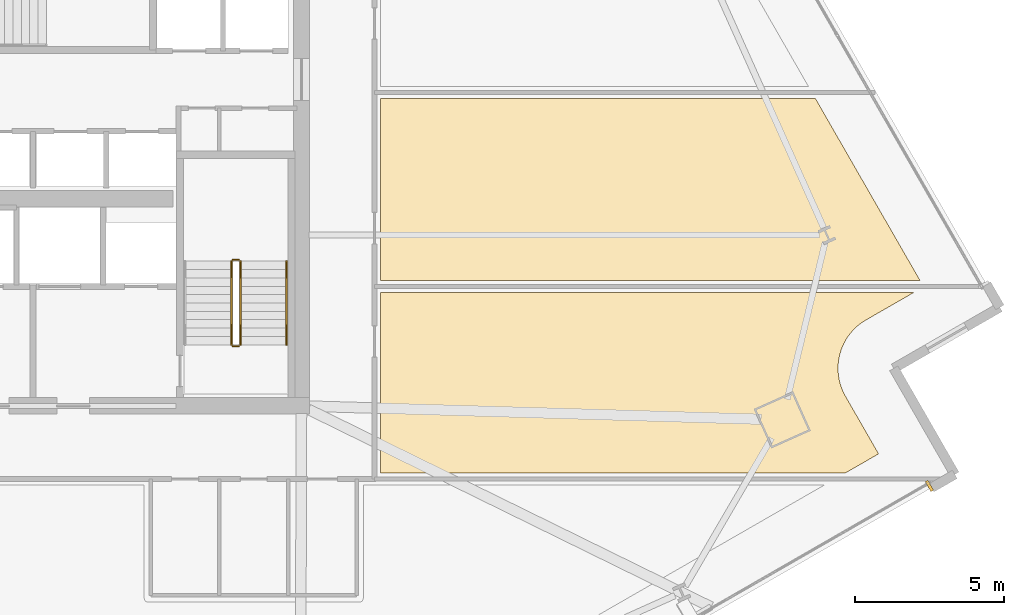
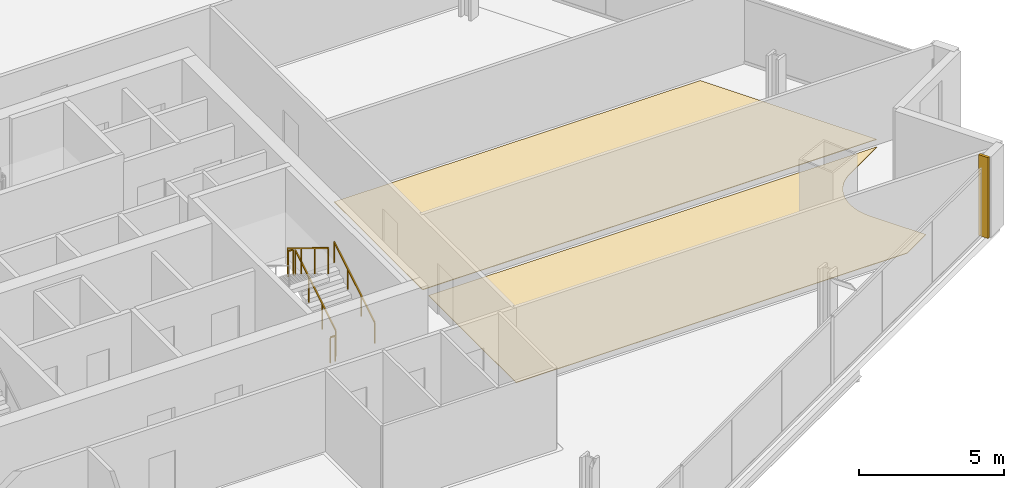
# One storey, part 30 of 33: 5 railings, 3 coverings.
"""IFC4 building model written with IfcOpenShell, lengths in metres."""

from ifc_helpers import new_model, si_unit, direction, frame, origin, origin_2d, place, context, subcontext, project, spatial, polyline, rectangle, outline, extrude, source, transform, mapped, material, layer, layer_set, type_object, element, save


model = new_model("IFC4")

# Units and contexts
model_context = context("Model", 3, precision=1e-05, world=origin(), true_north=direction((0.0, 1.0)))
body_context = subcontext(model_context, "Body", "Model", "MODEL_VIEW")
ifc_project = project(units=[si_unit("LENGTHUNIT", "METRE"), si_unit("AREAUNIT", "SQUARE_METRE"), si_unit("VOLUMEUNIT", "CUBIC_METRE"), si_unit("PLANEANGLEUNIT", "RADIAN"), si_unit("MASSUNIT", "GRAM", prefix="KILO")], contexts=[model_context])

# Site, building, storey
site_placement = place(None, origin())
site = spatial("IfcSite", under=ifc_project, at=site_placement, CompositionType="ELEMENT")
building_placement = place(site_placement, origin())
building = spatial("IfcBuilding", under=site, at=building_placement, Name="Haldenkirk Collegiate Tower", CompositionType="ELEMENT")
storey_placement = place(building_placement, frame((0.0, 0.0, 127.949951171875)))
storey = spatial("IfcBuildingStorey", under=building, at=storey_placement, Name="L31", CompositionType="ELEMENT", Elevation=127.949951171875)

# Coverings
ifc_material_1 = material(Name="Polished collegiate terrazzo", Category="concrete")
ifc_layer_1 = layer(ifc_material_1, 0.02490234375)
ifc_layer_set_1 = layer_set([ifc_layer_1], Name="Polished collegiate terrazzo")
covering_type_1 = type_object("IfcCoveringType", Name="COV-FLOOR-TERRAZZO", PredefinedType="FLOORING", material=ifc_layer_set_1)
covering_1_placement = place(storey_placement, origin())
element("IfcCovering", 1, at=covering_1_placement, inside=storey, type_object=covering_type_1, Name="L31 academic room finish 10", PredefinedType="FLOORING", context=body_context, shape_type="SweptSolid", body=[
    extrude(outline(polyline([(65.731689453125, 22.199951171875), (47.64990234375, 22.199951171875), (47.64990234375, 28.300048828125), (62.22412109375, 28.300048828125), (65.731689453125, 22.199951171875)])), origin(), (0.0, 0.0, 1.0), 0.025146484375),
])
ifc_material_2 = material(Name="Engineered collegiate oak acoustic flooring", Category="wood")
ifc_layer_2 = layer(ifc_material_2, 0.02197265625)
ifc_layer_set_2 = layer_set([ifc_layer_2], Name="Engineered collegiate oak acoustic flooring")
covering_type_2 = type_object("IfcCoveringType", Name="COV-FLOOR-TIMBER", PredefinedType="FLOORING", material=ifc_layer_set_2)
covering_2_placement = place(storey_placement, origin())
element("IfcCovering", 2, at=covering_2_placement, inside=storey, type_object=covering_type_2, Name="L31 academic room finish 09", PredefinedType="FLOORING", context=body_context, shape_type="SweptSolid", body=[
    extrude(outline(polyline([(63.918212890625, 20.88037109375), (63.9130859375, 20.87744140625), (63.7685546875, 20.78466796875), (63.759033203125, 20.777587890625), (63.624267578125, 20.671142578125), (63.615234375, 20.663330078125), (63.49169921875, 20.544189453125), (63.483642578125, 20.53564453125), (63.372314453125, 20.40478515625), (63.364990234375, 20.3955078125), (63.26708984375, 20.25439453125), (63.260986328125, 20.244384765625), (63.17724609375, 20.094482421875), (63.172119140625, 20.083984375), (63.103515625, 19.926513671875), (63.09912109375, 19.91552734375), (63.04638671875, 19.752197265625), (63.043212890625, 19.74072265625), (63.0068359375, 19.572998046875), (63.0048828125, 19.561279296875), (62.98486328125, 19.390869140625), (62.984130859375, 19.37890625), (62.98095703125, 19.207275390625), (62.9814453125, 19.195556640625), (62.9951171875, 19.0244140625), (62.99658203125, 19.0126953125), (63.027099609375, 18.84375), (63.02978515625, 18.83203125), (63.07666015625, 18.6669921875), (63.080322265625, 18.65576171875), (63.143310546875, 18.49609375), (63.148193359375, 18.4853515625), (63.226318359375, 18.33251953125), (63.22900390625, 18.3271484375), (64.3408203125, 16.393798828125), (63.220947265625, 15.75), (47.64990234375, 15.75), (47.64990234375, 21.800048828125), (65.517333984375, 21.800048828125), (63.918212890625, 20.88037109375)])), origin(), (0.0, 0.0, 1.0), 0.02197265625),
])

# Railings
ifc_material_3 = material(Name="Painted architectural tubular steel", Category="steel")
railing_type_1 = type_object("IfcRailingType", Name="RLG-STAIR-GUARD-1100", PredefinedType="BALUSTRADE", material=ifc_material_3)
railing_1_placement = place(storey_placement, frame((42.949951171875, 20.050048828125, 0.17041015625)))
element("IfcRailing", 3, at=railing_1_placement, inside=storey, type_object=railing_type_1, Name="L31 ST-2 stair guard 1", PredefinedType="BALUSTRADE", context=body_context, shape_type="SweptSolid", body=[
    extrude(rectangle(XDim=0.048095703125, YDim=0.048095703125, at=origin_2d()), frame((0.0, 0.0, 1.076171875), z_axis=(0.0, 0.854169791009, 0.51999420009), x_axis=(-1.0, 0.0, 0.0)), (0.0, 0.0, 1.0), 3.278076171875),
    extrude(rectangle(XDim=0.0419921875, YDim=0.0419921875, at=origin_2d()), origin(), (0.0, 0.0, 1.0), 1.052001953125),
    extrude(rectangle(XDim=0.0419921875, YDim=0.0419921875, at=origin_2d()), frame((0.0, 0.933349609375, 0.568115234375)), (0.0, 0.0, 1.0), 1.052001953125),
    extrude(rectangle(XDim=0.0419921875, YDim=0.0419921875, at=origin_2d()), frame((0.0, 1.86669921875, 1.136474609375)), (0.0, 0.0, 1.0), 1.052001953125),
    extrude(rectangle(XDim=0.0419921875, YDim=0.0419921875, at=origin_2d()), frame((0.0, 2.800048828125, 1.70458984375)), (0.0, 0.0, 1.0), 1.052001953125),
])
railing_2_placement = place(storey_placement, frame((42.89990234375, 22.89990234375, 1.875)))
element("IfcRailing", 4, at=railing_2_placement, inside=storey, type_object=railing_type_1, Name="L31 ST-2 stair guard 2", PredefinedType="BALUSTRADE", context=body_context, shape_type="SweptSolid", body=[
    extrude(rectangle(XDim=0.048095703125, YDim=0.048095703125, at=origin_2d()), frame((0.0, 0.0, 1.076171875), z_axis=(-1.0, 0.0, 0.0), x_axis=(0.0, -1.0, 0.0)), (0.0, 0.0, 1.0), 0.199951171875),
    extrude(rectangle(XDim=0.0419921875, YDim=0.0419921875, at=origin_2d()), origin(), (0.0, 0.0, 1.0), 1.052001953125),
    extrude(rectangle(XDim=0.0419921875, YDim=0.0419921875, at=origin_2d()), frame((-0.199951171875, 0.0, 0.0)), (0.0, 0.0, 1.0), 1.052001953125),
])
railing_3_placement = place(storey_placement, frame((42.64990234375, 22.85009765625, 2.04541015625)))
element("IfcRailing", 5, at=railing_3_placement, inside=storey, type_object=railing_type_1, Name="L31 ST-2 stair guard 3", PredefinedType="BALUSTRADE", context=body_context, shape_type="SweptSolid", body=[
    extrude(rectangle(XDim=0.048095703125, YDim=0.048095703125, at=origin_2d()), frame((0.0, 0.0, 1.076171875), z_axis=(0.0, -0.854169791009, 0.51999420009), x_axis=(1.0, 0.0, 0.0)), (0.0, 0.0, 1.0), 3.278076171875),
    extrude(rectangle(XDim=0.0419921875, YDim=0.0419921875, at=origin_2d()), origin(), (0.0, 0.0, 1.0), 1.052001953125),
    extrude(rectangle(XDim=0.0419921875, YDim=0.0419921875, at=origin_2d()), frame((0.0, -0.933349609375, 0.568115234375)), (0.0, 0.0, 1.0), 1.052001953125),
    extrude(rectangle(XDim=0.0419921875, YDim=0.0419921875, at=origin_2d()), frame((0.0, -1.86669921875, 1.136474609375)), (0.0, 0.0, 1.0), 1.052001953125),
    extrude(rectangle(XDim=0.0419921875, YDim=0.0419921875, at=origin_2d()), frame((0.0, -2.800048828125, 1.70458984375)), (0.0, 0.0, 1.0), 1.052001953125),
])
railing_4_placement = place(storey_placement, frame((42.89990234375, 20.0, 0.0)))
element("IfcRailing", 6, at=railing_4_placement, inside=storey, type_object=railing_type_1, Name="L31 ST-2 stair guard 4", PredefinedType="BALUSTRADE", context=body_context, shape_type="SweptSolid", body=[
    extrude(rectangle(XDim=0.048095703125, YDim=0.048095703125, at=origin_2d()), frame((0.0, 0.0, 1.076171875), z_axis=(-1.0, 0.0, 0.0), x_axis=(0.0, -1.0, 0.0)), (0.0, 0.0, 1.0), 0.199951171875),
    extrude(rectangle(XDim=0.0419921875, YDim=0.0419921875, at=origin_2d()), origin(), (0.0, 0.0, 1.0), 1.052001953125),
    extrude(rectangle(XDim=0.0419921875, YDim=0.0419921875, at=origin_2d()), frame((-0.199951171875, 0.0, 0.0)), (0.0, 0.0, 1.0), 1.052001953125),
])
railing_type_2 = type_object("IfcRailingType", Name="RLG-STAIR-HANDRAIL-900", PredefinedType="HANDRAIL", material=ifc_material_3)
railing_5_placement = place(storey_placement, frame((44.5, 20.050048828125, 0.17041015625)))
element("IfcRailing", 7, at=railing_5_placement, inside=storey, type_object=railing_type_2, Name="L31 ST-2 stair handrail 1", PredefinedType="HANDRAIL", context=body_context, shape_type="SweptSolid", body=[
    extrude(rectangle(XDim=0.048095703125, YDim=0.048095703125, at=origin_2d()), frame((0.0, 0.0, 0.8759765625), z_axis=(0.0, 0.854169791009, 0.51999420009), x_axis=(-1.0, 0.0, 0.0)), (0.0, 0.0, 1.0), 3.278076171875),
    extrude(rectangle(XDim=0.0419921875, YDim=0.0419921875, at=origin_2d()), origin(), (0.0, 0.0, 1.0), 0.851806640625),
    extrude(rectangle(XDim=0.0419921875, YDim=0.0419921875, at=origin_2d()), frame((0.0, 0.933349609375, 0.568115234375)), (0.0, 0.0, 1.0), 0.851806640625),
    extrude(rectangle(XDim=0.0419921875, YDim=0.0419921875, at=origin_2d()), frame((0.0, 1.86669921875, 1.136474609375)), (0.0, 0.0, 1.0), 0.851806640625),
    extrude(rectangle(XDim=0.0419921875, YDim=0.0419921875, at=origin_2d()), frame((0.0, 2.800048828125, 1.70458984375)), (0.0, 0.0, 1.0), 0.851806640625),
])

# Covering
ifc_material_4 = material(Name="Anodised architectural bronze aluminium", Category="aluminium")
ifc_layer_3 = layer(ifc_material_4, 0.06005859375)
ifc_layer_set_3 = layer_set([ifc_layer_3], Name="Anodised architectural bronze aluminium")
covering_type_3 = type_object("IfcCoveringType", Name="COV-CLAD-BRONZE-60", PredefinedType="CLADDING", material=ifc_layer_set_3)
shared_shape = source(origin(), body_context, "Body", "SweptSolid", [
    extrude(rectangle(XDim=0.10009765625, YDim=0.3798828125, at=origin_2d()), origin(), (0.0, 0.0, 1.0), 3.39990234375),
])
covering_3_placement = place(storey_placement, frame((66.04296875, 15.319580078125, 0.0), z_axis=(0.0, 0.0, 1.0), x_axis=(-0.866896748936, -0.498487739754, 0.0)))
element("IfcCovering", 8, at=covering_3_placement, inside=storey, type_object=covering_type_3, Name="L31 recessed curtain-wall bronze jamb closure SJL", PredefinedType="CLADDING", context=body_context, shape_type="MappedRepresentation", body=[
    mapped(shared_shape, transform((0.0, 0.0, 0.0), x_axis=(1.0, 0.0, 0.0), y_axis=(0.0, 1.0, 0.0), z_axis=(0.0, 0.0, 1.0), scale=1.0)),
])

save(model, "model.ifc")
